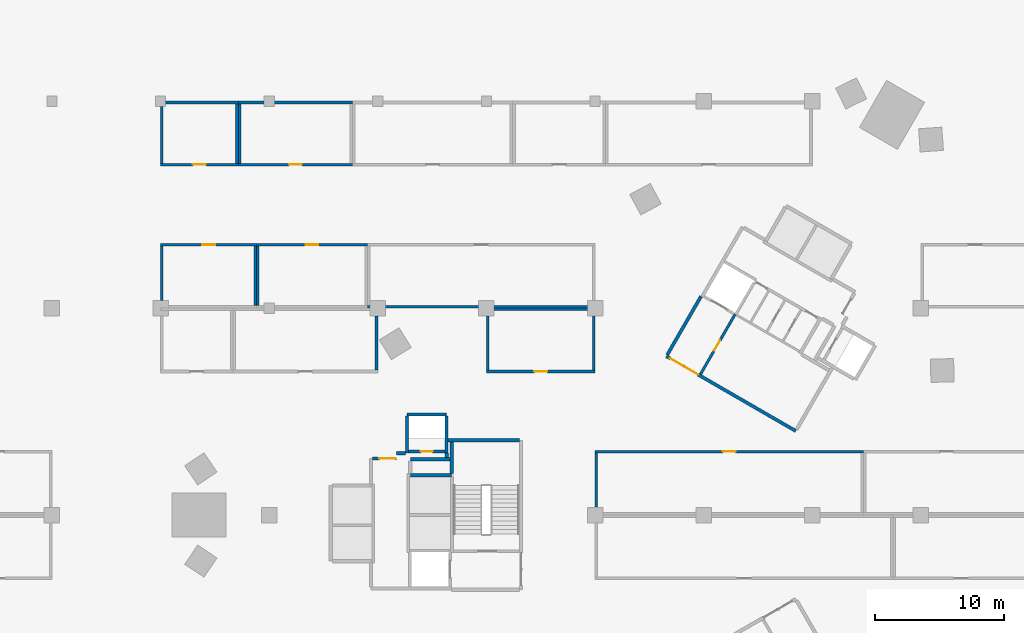
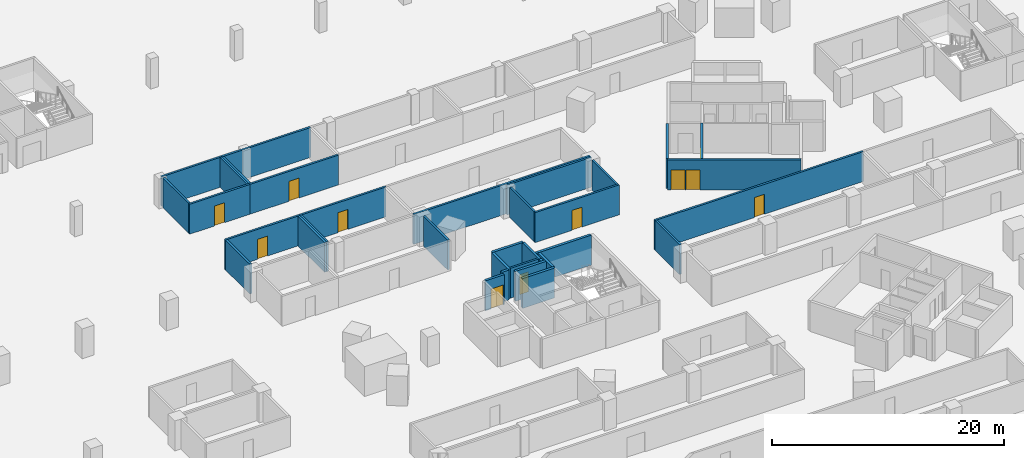
# One storey, part 10 of 37: 34 walls, 11 doors, 11 openings.
"""IFC4 building model written with IfcOpenShell, lengths in metres."""

from ifc_helpers import new_model, si_unit, direction, frame, frame_2d, origin, place, context, subcontext, project, spatial, rectangle, extrude, material, layer, layer_set, type_object, element, fill, save


model = new_model("IFC4")

# Units and contexts
model_context = context("Model", 3, precision=1e-05, world=origin(), true_north=direction((0.0, 1.0)))
body_context = subcontext(model_context, "Body", "Model", "MODEL_VIEW")
ifc_project = project(units=[si_unit("LENGTHUNIT", "METRE"), si_unit("AREAUNIT", "SQUARE_METRE"), si_unit("VOLUMEUNIT", "CUBIC_METRE"), si_unit("PLANEANGLEUNIT", "RADIAN"), si_unit("MASSUNIT", "GRAM", prefix="KILO")], contexts=[model_context])

# Site, building, storey
site_placement = place(None, origin())
site = spatial("IfcSite", under=ifc_project, at=site_placement, CompositionType="ELEMENT")
building_placement = place(site_placement, origin())
building = spatial("IfcBuilding", under=site, at=building_placement, Name="Tamra Quay Hotel Tower", CompositionType="ELEMENT")
storey_placement = place(building_placement, frame((0.0, 0.0, -3.60009765625)))
storey = spatial("IfcBuildingStorey", under=building, at=storey_placement, Name="B1", CompositionType="ELEMENT", Elevation=-3.60009765625)

# Wall, opening, door
ifc_material_1 = material(Name="Blockwork", Category="masonry")
ifc_layer_1 = layer(ifc_material_1, 0.199951171875)
ifc_layer_set_1 = layer_set([ifc_layer_1], Name="Car park room wall 200")
wall_type_1 = type_object("IfcWallType", Name="Car park room wall 200", PredefinedType="PARTITIONING", material=ifc_layer_set_1)
wall_1_placement = place(storey_placement, frame((-5.10009765625, 4.89990234375, 0.0), z_axis=(0.0, 0.0, 1.0), x_axis=(1.0, 0.0, 0.0)))
wall_1 = element("IfcWall", 1, at=wall_1_placement, inside=storey, type_object=wall_type_1, Name="PW", PredefinedType="PARTITIONING", context=body_context, shape_type="SweptSolid", body=[
    extrude(rectangle(XDim=20.7529296875, YDim=0.199951171875, at=frame_2d((10.37646484375, 0.0))), origin(), (0.0, 0.0, 1.0), 3.150146484375),
])
opening_1_placement = place(wall_1_placement, frame((9.87646484375, 0.0, 0.0)))
opening_1 = element("IfcOpeningElement", 2, at=opening_1_placement, cuts=wall_1, Name="Opening PD1", PredefinedType="OPENING", context=body_context, shape_type="SweptSolid", body=[
    extrude(rectangle(XDim=1.0, YDim=2.10009765625, at=frame_2d((0.5, 1.050048828125))), frame((0.0, 0.10986328125, 0.0), z_axis=(0.0, -1.0, 0.0), x_axis=(1.0, 0.0, 0.0)), (0.0, 0.0, 1.0), 0.219970703125),
])
ifc_material_2 = material(Name="Car park door 1000 x 2100")
door_type_1 = type_object("IfcDoorType", Name="Car park door 1000 x 2100", OperationType="NOTDEFINED", PredefinedType="DOOR", material=ifc_material_2)
door_1_placement = place(opening_1_placement, origin())
door_1 = element("IfcDoor", 3, at=door_1_placement, inside=storey, type_object=door_type_1, Name="PD1", OperationType="SINGLE_SWING_LEFT", OverallHeight=2.10009765625, OverallWidth=1.0, PredefinedType="DOOR", context=body_context, shape_type="SweptSolid", body=[
    extrude(rectangle(XDim=1.0, YDim=2.10009765625, at=frame_2d((0.5, 1.050048828125))), frame((0.0, 0.02490234375, 0.0), z_axis=(0.0, -1.0, 0.0), x_axis=(1.0, 0.0, 0.0)), (0.0, 0.0, 1.0), 0.050048828125),
])
fill(opening_1, door_1)

# Walls
for number, where, z_axis, x_axis, name in (
    (4, (-5.0, 0.60009765625, 0.0), (0.0, 0.0, 1.0), (0.0, 1.0, 0.0), "PW"),
    (5, (-22.0, 11.199951171875, 0.0), (0.0, 0.0, 1.0), (0.0, 1.0, 0.0), "PW"),
):
    element("IfcWall", number, at=place(storey_placement, frame(where, z_axis=z_axis, x_axis=x_axis)), inside=storey, type_object=wall_type_1, Name=name, PredefinedType="PARTITIONING", context=body_context, shape_type="SweptSolid", body=[
        extrude(rectangle(XDim=4.199951171875, YDim=0.199951171875, at=frame_2d((2.10009765625, 0.0))), origin(), (0.0, 0.0, 1.0), 3.150146484375),
    ])

# Wall, opening, door
wall_2_placement = place(storey_placement, frame((-13.5, 11.10009765625, 0.0), z_axis=(0.0, 0.0, 1.0), x_axis=(1.0, 0.0, 0.0)))
wall_2 = element("IfcWall", 6, at=wall_2_placement, inside=storey, type_object=wall_type_1, Name="PW", PredefinedType="PARTITIONING", context=body_context, shape_type="SweptSolid", body=[
    extrude(rectangle(XDim=8.39990234375, YDim=0.199951171875, at=frame_2d((4.199951171875, 0.0))), origin(), (0.0, 0.0, 1.0), 3.150146484375),
])
opening_2_placement = place(wall_2_placement, frame((3.699951171875, 0.0, 0.0)))
opening_2 = element("IfcOpeningElement", 7, at=opening_2_placement, cuts=wall_2, Name="Opening PD1", PredefinedType="OPENING", context=body_context, shape_type="SweptSolid", body=[
    extrude(rectangle(XDim=1.0, YDim=2.10009765625, at=frame_2d((0.5, 1.050048828125))), frame((0.0, 0.10986328125, 0.0), z_axis=(0.0, -1.0, 0.0), x_axis=(1.0, 0.0, 0.0)), (0.0, 0.0, 1.0), 0.219970703125),
])
door_2_placement = place(opening_2_placement, origin())
door_2 = element("IfcDoor", 8, at=door_2_placement, inside=storey, type_object=door_type_1, Name="PD1", OperationType="SINGLE_SWING_LEFT", OverallHeight=2.10009765625, OverallWidth=1.0, PredefinedType="DOOR", context=body_context, shape_type="SweptSolid", body=[
    extrude(rectangle(XDim=1.0, YDim=2.10009765625, at=frame_2d((0.5, 1.050048828125))), frame((0.0, 0.02490234375, 0.0), z_axis=(0.0, -1.0, 0.0), x_axis=(1.0, 0.0, 0.0)), (0.0, 0.0, 1.0), 0.050048828125),
])
fill(opening_2, door_2)

# Walls
wall_3_placement = place(storey_placement, frame((-13.5, 15.89990234375, 0.0), z_axis=(0.0, 0.0, 1.0), x_axis=(1.0, 0.0, 0.0)))
element("IfcWall", 9, at=wall_3_placement, inside=storey, type_object=wall_type_1, Name="PW", PredefinedType="PARTITIONING", context=body_context, shape_type="SweptSolid", body=[
    extrude(rectangle(XDim=8.39990234375, YDim=0.199951171875, at=frame_2d((4.199951171875, 0.0))), origin(), (0.0, 0.0, 1.0), 3.150146484375),
])
for number, where, z_axis, x_axis, name in (
    (10, (-13.39990234375, 11.199951171875, 0.0), (0.0, 0.0, 1.0), (0.0, 1.0, 0.0), "PW"),
    (11, (-5.199951171875, 11.199951171875, 0.0), (0.0, 0.0, 1.0), (0.0, 1.0, 0.0), "PW"),
):
    element("IfcWall", number, at=place(storey_placement, frame(where, z_axis=z_axis, x_axis=x_axis)), inside=storey, type_object=wall_type_1, Name=name, PredefinedType="PARTITIONING", context=body_context, shape_type="SweptSolid", body=[
        extrude(rectangle(XDim=4.199951171875, YDim=0.199951171875, at=frame_2d((2.10009765625, 0.0))), origin(), (0.0, 0.0, 1.0), 3.150146484375),
    ])

# Wall, opening, door
wall_4_placement = place(storey_placement, frame((-38.699951171875, 20.89990234375, 0.0), z_axis=(0.0, 0.0, 1.0), x_axis=(1.0, 0.0, 0.0)))
wall_4 = element("IfcWall", 12, at=wall_4_placement, inside=storey, type_object=wall_type_1, Name="PW", PredefinedType="PARTITIONING", context=body_context, shape_type="SweptSolid", body=[
    extrude(rectangle(XDim=7.42333984375, YDim=0.199951171875, at=frame_2d((3.711669921875, 0.0))), origin(), (0.0, 0.0, 1.0), 3.150146484375),
])
opening_3_placement = place(wall_4_placement, frame((3.211669921875, 0.0, 0.0)))
opening_3 = element("IfcOpeningElement", 13, at=opening_3_placement, cuts=wall_4, Name="Opening PD1", PredefinedType="OPENING", context=body_context, shape_type="SweptSolid", body=[
    extrude(rectangle(XDim=1.0, YDim=2.10009765625, at=frame_2d((0.5, 1.050048828125))), frame((0.0, 0.10986328125, 0.0), z_axis=(0.0, -1.0, 0.0), x_axis=(1.0, 0.0, 0.0)), (0.0, 0.0, 1.0), 0.219970703125),
])
door_3_placement = place(opening_3_placement, origin())
door_3 = element("IfcDoor", 14, at=door_3_placement, inside=storey, type_object=door_type_1, Name="PD1", OperationType="SINGLE_SWING_LEFT", OverallHeight=2.10009765625, OverallWidth=1.0, PredefinedType="DOOR", context=body_context, shape_type="SweptSolid", body=[
    extrude(rectangle(XDim=1.0, YDim=2.10009765625, at=frame_2d((0.5, 1.050048828125))), frame((0.0, 0.02490234375, 0.0), z_axis=(0.0, -1.0, 0.0), x_axis=(1.0, 0.0, 0.0)), (0.0, 0.0, 1.0), 0.050048828125),
])
fill(opening_3, door_3)

# Walls
wall_5_placement = place(storey_placement, frame((-38.60009765625, 16.60009765625, 0.0), z_axis=(0.0, 0.0, 1.0), x_axis=(0.0, 1.0, 0.0)))
element("IfcWall", 15, at=wall_5_placement, inside=storey, type_object=wall_type_1, Name="PW", PredefinedType="PARTITIONING", context=body_context, shape_type="SweptSolid", body=[
    extrude(rectangle(XDim=4.199951171875, YDim=0.199951171875, at=frame_2d((2.10009765625, 0.0))), origin(), (0.0, 0.0, 1.0), 3.150146484375),
])
wall_6_placement = place(storey_placement, frame((-31.376708984375, 16.199951171875, 0.0), z_axis=(0.0, 0.0, 1.0), x_axis=(0.0, 1.0, 0.0)))
element("IfcWall", 16, at=wall_6_placement, inside=storey, type_object=wall_type_1, Name="PW", PredefinedType="PARTITIONING", context=body_context, shape_type="SweptSolid", body=[
    extrude(rectangle(XDim=4.60009765625, YDim=0.199951171875, at=frame_2d((2.300048828125, 0.0))), origin(), (0.0, 0.0, 1.0), 3.150146484375),
])

# Wall, opening, door
wall_7_placement = place(storey_placement, frame((-31.276611328125, 20.89990234375, 0.0), z_axis=(0.0, 0.0, 1.0), x_axis=(1.0, 0.0, 0.0)))
wall_7 = element("IfcWall", 17, at=wall_7_placement, inside=storey, type_object=wall_type_1, Name="PW", PredefinedType="PARTITIONING", context=body_context, shape_type="SweptSolid", body=[
    extrude(rectangle(XDim=8.57666015625, YDim=0.199951171875, at=frame_2d((4.288330078125, 0.0))), origin(), (0.0, 0.0, 1.0), 3.150146484375),
])
opening_4_placement = place(wall_7_placement, frame((3.788330078125, 0.0, 0.0)))
opening_4 = element("IfcOpeningElement", 18, at=opening_4_placement, cuts=wall_7, Name="Opening PD1", PredefinedType="OPENING", context=body_context, shape_type="SweptSolid", body=[
    extrude(rectangle(XDim=1.0, YDim=2.10009765625, at=frame_2d((0.5, 1.050048828125))), frame((0.0, 0.10986328125, 0.0), z_axis=(0.0, -1.0, 0.0), x_axis=(1.0, 0.0, 0.0)), (0.0, 0.0, 1.0), 0.219970703125),
])
door_4_placement = place(opening_4_placement, origin())
door_4 = element("IfcDoor", 19, at=door_4_placement, inside=storey, type_object=door_type_1, Name="PD1", OperationType="SINGLE_SWING_LEFT", OverallHeight=2.10009765625, OverallWidth=1.0, PredefinedType="DOOR", context=body_context, shape_type="SweptSolid", body=[
    extrude(rectangle(XDim=1.0, YDim=2.10009765625, at=frame_2d((0.5, 1.050048828125))), frame((0.0, 0.02490234375, 0.0), z_axis=(0.0, -1.0, 0.0), x_axis=(1.0, 0.0, 0.0)), (0.0, 0.0, 1.0), 0.050048828125),
])
fill(opening_4, door_4)

# Walls
wall_8_placement = place(storey_placement, frame((-31.1767578125, 16.199951171875, 0.0), z_axis=(0.0, 0.0, 1.0), x_axis=(0.0, 1.0, 0.0)))
element("IfcWall", 20, at=wall_8_placement, inside=storey, type_object=wall_type_1, Name="PW", PredefinedType="PARTITIONING", context=body_context, shape_type="SweptSolid", body=[
    extrude(rectangle(XDim=4.60009765625, YDim=0.199951171875, at=frame_2d((2.300048828125, 0.0))), origin(), (0.0, 0.0, 1.0), 3.150146484375),
])
wall_9_placement = place(storey_placement, frame((-22.699951171875, 16.10009765625, 0.0), z_axis=(0.0, 0.0, 1.0), x_axis=(1.0, 0.0, 0.0)))
element("IfcWall", 21, at=wall_9_placement, inside=storey, type_object=wall_type_1, Name="PW", PredefinedType="PARTITIONING", context=body_context, shape_type="SweptSolid", body=[
    extrude(rectangle(XDim=17.599853515625, YDim=0.199951171875, at=frame_2d((8.7998046875, 0.0))), origin(), (0.0, 0.0, 1.0), 3.150146484375),
])

# Wall, opening, door
wall_10_placement = place(storey_placement, frame((-38.699951171875, 27.10009765625, 0.0), z_axis=(0.0, 0.0, 1.0), x_axis=(1.0, 0.0, 0.0)))
wall_10 = element("IfcWall", 22, at=wall_10_placement, inside=storey, type_object=wall_type_1, Name="PW", PredefinedType="PARTITIONING", context=body_context, shape_type="SweptSolid", body=[
    extrude(rectangle(XDim=6.012451171875, YDim=0.199951171875, at=frame_2d((3.00634765625, 0.0))), origin(), (0.0, 0.0, 1.0), 3.150146484375),
])
opening_5_placement = place(wall_10_placement, frame((2.50634765625, 0.0, 0.0)))
opening_5 = element("IfcOpeningElement", 23, at=opening_5_placement, cuts=wall_10, Name="Opening PD1", PredefinedType="OPENING", context=body_context, shape_type="SweptSolid", body=[
    extrude(rectangle(XDim=1.0, YDim=2.10009765625, at=frame_2d((0.5, 1.050048828125))), frame((0.0, 0.10986328125, 0.0), z_axis=(0.0, -1.0, 0.0), x_axis=(1.0, 0.0, 0.0)), (0.0, 0.0, 1.0), 0.219970703125),
])
door_5_placement = place(opening_5_placement, origin())
door_5 = element("IfcDoor", 24, at=door_5_placement, inside=storey, type_object=door_type_1, Name="PD1", OperationType="SINGLE_SWING_LEFT", OverallHeight=2.10009765625, OverallWidth=1.0, PredefinedType="DOOR", context=body_context, shape_type="SweptSolid", body=[
    extrude(rectangle(XDim=1.0, YDim=2.10009765625, at=frame_2d((0.5, 1.050048828125))), frame((0.0, 0.02490234375, 0.0), z_axis=(0.0, -1.0, 0.0), x_axis=(1.0, 0.0, 0.0)), (0.0, 0.0, 1.0), 0.050048828125),
])
fill(opening_5, door_5)

# Walls
wall_11_placement = place(storey_placement, frame((-38.699951171875, 31.89990234375, 0.0), z_axis=(0.0, 0.0, 1.0), x_axis=(1.0, 0.0, 0.0)))
element("IfcWall", 25, at=wall_11_placement, inside=storey, type_object=wall_type_1, Name="PW", PredefinedType="PARTITIONING", context=body_context, shape_type="SweptSolid", body=[
    extrude(rectangle(XDim=6.012451171875, YDim=0.199951171875, at=frame_2d((3.00634765625, 0.0))), origin(), (0.0, 0.0, 1.0), 3.150146484375),
])
wall_12_placement = place(storey_placement, frame((-38.60009765625, 27.199951171875, 0.0), z_axis=(0.0, 0.0, 1.0), x_axis=(0.0, 1.0, 0.0)))
element("IfcWall", 26, at=wall_12_placement, inside=storey, type_object=wall_type_1, Name="PW", PredefinedType="PARTITIONING", context=body_context, shape_type="SweptSolid", body=[
    extrude(rectangle(XDim=4.400146484375, YDim=0.199951171875, at=frame_2d((2.2001953125, 0.0))), origin(), (0.0, 0.0, 1.0), 3.150146484375),
])
wall_13_placement = place(storey_placement, frame((-32.787353515625, 27.199951171875, 0.0), z_axis=(0.0, 0.0, 1.0), x_axis=(0.0, 1.0, 0.0)))
element("IfcWall", 27, at=wall_13_placement, inside=storey, type_object=wall_type_1, Name="PW", PredefinedType="PARTITIONING", context=body_context, shape_type="SweptSolid", body=[
    extrude(rectangle(XDim=4.60009765625, YDim=0.199951171875, at=frame_2d((2.300048828125, 0.0))), origin(), (0.0, 0.0, 1.0), 3.150146484375),
])

# Wall, opening, door
wall_14_placement = place(storey_placement, frame((-32.6875, 27.10009765625, 0.0), z_axis=(0.0, 0.0, 1.0), x_axis=(1.0, 0.0, 0.0)))
wall_14 = element("IfcWall", 28, at=wall_14_placement, inside=storey, type_object=wall_type_1, Name="PW", PredefinedType="PARTITIONING", context=body_context, shape_type="SweptSolid", body=[
    extrude(rectangle(XDim=8.84228515625, YDim=0.199951171875, at=frame_2d((4.421142578125, 0.0))), origin(), (0.0, 0.0, 1.0), 3.150146484375),
])
opening_6_placement = place(wall_14_placement, frame((3.921142578125, 0.0, 0.0)))
opening_6 = element("IfcOpeningElement", 29, at=opening_6_placement, cuts=wall_14, Name="Opening PD1", PredefinedType="OPENING", context=body_context, shape_type="SweptSolid", body=[
    extrude(rectangle(XDim=1.0, YDim=2.10009765625, at=frame_2d((0.5, 1.050048828125))), frame((0.0, 0.10986328125, 0.0), z_axis=(0.0, -1.0, 0.0), x_axis=(1.0, 0.0, 0.0)), (0.0, 0.0, 1.0), 0.219970703125),
])
door_6_placement = place(opening_6_placement, origin())
door_6 = element("IfcDoor", 30, at=door_6_placement, inside=storey, type_object=door_type_1, Name="PD1", OperationType="SINGLE_SWING_LEFT", OverallHeight=2.10009765625, OverallWidth=1.0, PredefinedType="DOOR", context=body_context, shape_type="SweptSolid", body=[
    extrude(rectangle(XDim=1.0, YDim=2.10009765625, at=frame_2d((0.5, 1.050048828125))), frame((0.0, 0.02490234375, 0.0), z_axis=(0.0, -1.0, 0.0), x_axis=(1.0, 0.0, 0.0)), (0.0, 0.0, 1.0), 0.050048828125),
])
fill(opening_6, door_6)

# Walls
wall_15_placement = place(storey_placement, frame((-32.6875, 31.89990234375, 0.0), z_axis=(0.0, 0.0, 1.0), x_axis=(1.0, 0.0, 0.0)))
element("IfcWall", 31, at=wall_15_placement, inside=storey, type_object=wall_type_1, Name="PW", PredefinedType="PARTITIONING", context=body_context, shape_type="SweptSolid", body=[
    extrude(rectangle(XDim=8.84228515625, YDim=0.199951171875, at=frame_2d((4.421142578125, 0.0))), origin(), (0.0, 0.0, 1.0), 3.150146484375),
])
wall_16_placement = place(storey_placement, frame((-32.58740234375, 27.199951171875, 0.0), z_axis=(0.0, 0.0, 1.0), x_axis=(0.0, 1.0, 0.0)))
element("IfcWall", 32, at=wall_16_placement, inside=storey, type_object=wall_type_1, Name="PW", PredefinedType="PARTITIONING", context=body_context, shape_type="SweptSolid", body=[
    extrude(rectangle(XDim=4.60009765625, YDim=0.199951171875, at=frame_2d((2.300048828125, 0.0))), origin(), (0.0, 0.0, 1.0), 3.150146484375),
])

# Wall, opening, door
ifc_material_3 = material(Name="Concrete M70", Category="concrete")
ifc_layer_2 = layer(ifc_material_3, 0.199951171875)
ifc_layer_set_2 = layer_set([ifc_layer_2], Name="Concrete M70 core wall 200")
wall_type_2 = type_object("IfcWallType", Name="Concrete M70 core wall 200", PredefinedType="SHEAR", material=ifc_layer_set_2)
wall_17_placement = place(storey_placement, frame((-19.51123046875, 4.91015625, 0.0), z_axis=(0.0, 0.0, 1.0), x_axis=(1.0, 0.0, 0.0)))
wall_17 = element("IfcWall", 33, at=wall_17_placement, inside=storey, type_object=wall_type_2, Name="CW2", PredefinedType="SHEAR", context=body_context, shape_type="SweptSolid", body=[
    extrude(rectangle(XDim=2.7978515625, YDim=0.199951171875, at=frame_2d((1.39892578125, 0.0))), origin(), (0.0, 0.0, 1.0), 3.150146484375),
])
opening_7_placement = place(wall_17_placement, frame((0.948974609375, 0.0, 0.0)))
opening_7 = element("IfcOpeningElement", 34, at=opening_7_placement, cuts=wall_17, Name="Opening D1", PredefinedType="OPENING", context=body_context, shape_type="SweptSolid", body=[
    extrude(rectangle(XDim=0.89990234375, YDim=2.10009765625, at=frame_2d((0.449951171875, 1.050048828125))), frame((0.0, 0.10986328125, 0.0), z_axis=(0.0, -1.0, 0.0), x_axis=(1.0, 0.0, 0.0)), (0.0, 0.0, 1.0), 0.219970703125),
])
ifc_material_4 = material(Name="Core door D1 900x2100 LH")
door_type_2 = type_object("IfcDoorType", Name="Core door D1 900x2100 LH", OperationType="NOTDEFINED", PredefinedType="DOOR", material=ifc_material_4)
door_7_placement = place(opening_7_placement, origin())
door_7 = element("IfcDoor", 35, at=door_7_placement, inside=storey, type_object=door_type_2, Name="D1", OperationType="SINGLE_SWING_LEFT", OverallHeight=2.10009765625, OverallWidth=0.89990234375, PredefinedType="DOOR", context=body_context, shape_type="SweptSolid", body=[
    extrude(rectangle(XDim=0.89990234375, YDim=2.10009765625, at=frame_2d((0.449951171875, 1.050048828125))), frame((0.0, 0.02490234375, 0.0), z_axis=(0.0, -1.0, 0.0), x_axis=(1.0, 0.0, 0.0)), (0.0, 0.0, 1.0), 0.050048828125),
])
fill(opening_7, door_7)

wall_18_placement = place(storey_placement, frame((3.056640625, 10.89453125, 0.0), z_axis=(0.0, 0.0, 1.0), x_axis=(0.500012186204, 0.866018367962, 0.0)))
wall_18 = element("IfcWall", 36, at=wall_18_placement, inside=storey, type_object=wall_type_2, Name="CW2", PredefinedType="SHEAR", context=body_context, shape_type="SweptSolid", body=[
    extrude(rectangle(XDim=5.348876953125, YDim=0.199951171875, at=frame_2d((2.67431640625, 0.0))), origin(), (0.0, 0.0, 1.0), 3.150146484375),
])
opening_8_placement = place(wall_18_placement, frame((2.09912109375, 0.0, 0.0)))
opening_8 = element("IfcOpeningElement", 37, at=opening_8_placement, cuts=wall_18, Name="Opening D2", PredefinedType="OPENING", context=body_context, shape_type="SweptSolid", body=[
    extrude(rectangle(XDim=0.89990234375, YDim=2.10009765625, at=frame_2d((0.449951171875, 1.050048828125))), frame((0.0, 0.10986328125, 0.0), z_axis=(0.0, -1.0, 0.0), x_axis=(1.0, 0.0, 0.0)), (0.0, 0.0, 1.0), 0.219970703125),
])
ifc_material_5 = material(Name="Core door D2 900x2100 RH")
door_type_3 = type_object("IfcDoorType", Name="Core door D2 900x2100 RH", OperationType="NOTDEFINED", PredefinedType="DOOR", material=ifc_material_5)
door_8_placement = place(opening_8_placement, origin())
door_8 = element("IfcDoor", 38, at=door_8_placement, inside=storey, type_object=door_type_3, Name="D2", OperationType="SINGLE_SWING_RIGHT", OverallHeight=2.10009765625, OverallWidth=0.89990234375, PredefinedType="DOOR", context=body_context, shape_type="SweptSolid", body=[
    extrude(rectangle(XDim=0.89990234375, YDim=2.10009765625, at=frame_2d((0.449951171875, 1.050048828125))), frame((0.0, 0.02490234375, 0.0), z_axis=(0.0, -1.0, 0.0), x_axis=(1.0, 0.0, 0.0)), (0.0, 0.0, 1.0), 0.050048828125),
])
fill(opening_8, door_8)

# Walls
ifc_layer_3 = layer(ifc_material_3, 0.25)
ifc_layer_set_3 = layer_set([ifc_layer_3], Name="Concrete M70 core wall 250")
wall_type_3 = type_object("IfcWallType", Name="Concrete M70 core wall 250", PredefinedType="SHEAR", material=ifc_layer_set_3)
wall_19_placement = place(storey_placement, frame((-16.47216796875, 5.77490234375, 0.0), z_axis=(0.0, 0.0, 1.0), x_axis=(1.0, 0.0, 0.0)))
element("IfcWall", 39, at=wall_19_placement, inside=storey, type_object=wall_type_3, Name="CW1", PredefinedType="SHEAR", context=body_context, shape_type="SweptSolid", body=[
    extrude(rectangle(XDim=5.509521484375, YDim=0.25, at=frame_2d((2.7548828125, 0.0))), origin(), (0.0, 0.0, 1.0), 3.150146484375),
])
wall_20_placement = place(storey_placement, frame((-19.38720703125, 3.074951171875, 0.0), z_axis=(0.0, 0.0, 1.0), x_axis=(1.0, 0.0, 0.0)))
element("IfcWall", 40, at=wall_20_placement, inside=storey, type_object=wall_type_3, Name="CW1", PredefinedType="SHEAR", context=body_context, shape_type="SweptSolid", body=[
    extrude(rectangle(XDim=3.199951171875, YDim=0.25, at=frame_2d((1.60009765625, 0.0))), origin(), (0.0, 0.0, 1.0), 3.150146484375),
])
wall_21_placement = place(storey_placement, frame((-19.63720703125, 7.77490234375, 0.0), z_axis=(0.0, 0.0, 1.0), x_axis=(1.0, 0.0, 0.0)))
element("IfcWall", 41, at=wall_21_placement, inside=storey, type_object=wall_type_3, Name="CW1", PredefinedType="SHEAR", context=body_context, shape_type="SweptSolid", body=[
    extrude(rectangle(XDim=3.0498046875, YDim=0.25, at=frame_2d((1.52490234375, 0.0))), origin(), (0.0, 0.0, 1.0), 3.150146484375),
])
for number, where, z_axis, x_axis, name in (
    (42, (-16.58740234375, 7.649658203125, 0.0), (0.0, 0.0, 1.0), (0.0, -1.0, 0.0), "CW1"),
    (43, (-19.63720703125, 4.784912109375, 0.0), (0.0, 0.0, 1.0), (0.0, 1.0, 0.0), "CW1"),
):
    element("IfcWall", number, at=place(storey_placement, frame(where, z_axis=z_axis, x_axis=x_axis)), inside=storey, type_object=wall_type_3, Name=name, PredefinedType="SHEAR", context=body_context, shape_type="SweptSolid", body=[
        extrude(rectangle(XDim=2.86474609375, YDim=0.25, at=frame_2d((1.432373046875, 0.0))), origin(), (0.0, 0.0, 1.0), 3.150146484375),
    ])
wall_22_placement = place(storey_placement, frame((-16.30224609375, 4.31494140625, 0.0), z_axis=(0.0, 0.0, 1.0), x_axis=(-1.0, 0.0, 0.0)))
element("IfcWall", 44, at=wall_22_placement, inside=storey, type_object=wall_type_3, Name="CW1", PredefinedType="SHEAR", context=body_context, shape_type="SweptSolid", body=[
    extrude(rectangle(XDim=3.0849609375, YDim=0.25, at=frame_2d((1.54248046875, 0.0))), origin(), (0.0, 0.0, 1.0), 3.150146484375),
])
wall_23_placement = place(storey_placement, frame((-16.187255859375, 3.200439453125, 0.0), z_axis=(0.0, 0.0, 1.0), x_axis=(0.0, 1.0, 0.0)))
element("IfcWall", 45, at=wall_23_placement, inside=storey, type_object=wall_type_3, Name="CW1", PredefinedType="SHEAR", context=body_context, shape_type="SweptSolid", body=[
    extrude(rectangle(XDim=2.44921875, YDim=0.25, at=frame_2d((1.224609375, 0.0))), origin(), (0.0, 0.0, 1.0), 3.150146484375),
])

# Wall, opening, door
wall_24_placement = place(storey_placement, frame((-22.311767578125, 4.375, 0.0), z_axis=(0.0, 0.0, 1.0), x_axis=(1.0, 0.0, 0.0)))
wall_24 = element("IfcWall", 46, at=wall_24_placement, inside=storey, type_object=wall_type_3, Name="CW1", PredefinedType="SHEAR", context=body_context, shape_type="SweptSolid", body=[
    extrude(rectangle(XDim=1.864501953125, YDim=0.25, at=frame_2d((0.93212890625, 0.0))), origin(), (0.0, 0.0, 1.0), 3.150146484375),
])
opening_9_placement = place(wall_24_placement, frame((0.53466796875, 0.0, 0.0)))
opening_9 = element("IfcOpeningElement", 47, at=opening_9_placement, cuts=wall_24, Name="Opening FD3", PredefinedType="OPENING", context=body_context, shape_type="SweptSolid", body=[
    extrude(rectangle(XDim=1.25, YDim=2.10009765625, at=frame_2d((0.625, 1.050048828125))), frame((0.0, 0.135009765625, 0.0), z_axis=(0.0, -1.0, 0.0), x_axis=(1.0, 0.0, 0.0)), (0.0, 0.0, 1.0), 0.27001953125),
])
ifc_material_6 = material(Name="Core door FD3 1250x2100 LH")
door_type_4 = type_object("IfcDoorType", Name="Core door FD3 1250x2100 LH", OperationType="NOTDEFINED", PredefinedType="DOOR", material=ifc_material_6)
door_9_placement = place(opening_9_placement, origin())
door_9 = element("IfcDoor", 48, at=door_9_placement, inside=storey, type_object=door_type_4, Name="FD3", OperationType="SINGLE_SWING_LEFT", OverallHeight=2.10009765625, OverallWidth=1.25, PredefinedType="DOOR", context=body_context, shape_type="SweptSolid", body=[
    extrude(rectangle(XDim=1.25, YDim=2.10009765625, at=frame_2d((0.625, 1.050048828125))), frame((0.0, 0.02490234375, 0.0), z_axis=(0.0, -1.0, 0.0), x_axis=(1.0, 0.0, 0.0)), (0.0, 0.0, 1.0), 0.050048828125),
])
fill(opening_9, door_9)

# Walls
wall_25_placement = place(storey_placement, frame((-20.447265625, 4.784912109375, 0.0), z_axis=(0.0, 0.0, 1.0), x_axis=(1.0, 0.0, 0.0)))
element("IfcWall", 49, at=wall_25_placement, inside=storey, type_object=wall_type_3, Name="CW1", PredefinedType="SHEAR", context=body_context, shape_type="SweptSolid", body=[
    extrude(rectangle(XDim=0.6845703125, YDim=0.25, at=frame_2d((0.34228515625, 0.0))), origin(), (0.0, 0.0, 1.0), 3.150146484375),
])
wall_26_placement = place(storey_placement, frame((-16.577392578125, 4.784912109375, 0.0), z_axis=(0.0, 0.0, 1.0), x_axis=(0.0, -1.0, 0.0)))
element("IfcWall", 50, at=wall_26_placement, inside=storey, type_object=wall_type_3, Name="CW1", PredefinedType="SHEAR", context=body_context, shape_type="SweptSolid", body=[
    extrude(rectangle(XDim=0.344482421875, YDim=0.25, at=frame_2d((0.17236328125, 0.0))), origin(), (0.0, 0.0, 1.0), 3.150146484375),
])

# Wall, openings, doors
wall_27_placement = place(storey_placement, frame((10.419921875, 6.497802734375, 0.0), z_axis=(0.0, 0.0, 1.0), x_axis=(-0.866021906294, 0.500006057782, 0.0)))
wall_27 = element("IfcWall", 51, at=wall_27_placement, inside=storey, type_object=wall_type_3, Name="CW1", PredefinedType="SHEAR", context=body_context, shape_type="SweptSolid", body=[
    extrude(rectangle(XDim=11.550048828125, YDim=0.25, at=frame_2d((5.77490234375, 0.0))), origin(), (0.0, 0.0, 1.0), 3.150146484375),
])
opening_10_placement = place(wall_27_placement, frame((10.02490234375, 0.0, 0.0)))
opening_10 = element("IfcOpeningElement", 52, at=opening_10_placement, cuts=wall_27, Name="Opening FD1", PredefinedType="OPENING", context=body_context, shape_type="SweptSolid", body=[
    extrude(rectangle(XDim=1.199951171875, YDim=2.10009765625, at=frame_2d((0.60009765625, 1.050048828125))), frame((0.0, 0.135009765625, 0.0), z_axis=(0.0, -1.0, 0.0), x_axis=(1.0, 0.0, 0.0)), (0.0, 0.0, 1.0), 0.27001953125),
])
opening_11_placement = place(wall_27_placement, frame((8.724853515625, 0.0, 0.0)))
opening_11 = element("IfcOpeningElement", 53, at=opening_11_placement, cuts=wall_27, Name="Opening FD1", PredefinedType="OPENING", context=body_context, shape_type="SweptSolid", body=[
    extrude(rectangle(XDim=1.199951171875, YDim=2.10009765625, at=frame_2d((0.60009765625, 1.050048828125))), frame((0.0, 0.135009765625, 0.0), z_axis=(0.0, -1.0, 0.0), x_axis=(1.0, 0.0, 0.0)), (0.0, 0.0, 1.0), 0.27001953125),
])
ifc_material_7 = material(Name="Core door FD1 1200x2100 LH")
door_type_5 = type_object("IfcDoorType", Name="Core door FD1 1200x2100 LH", OperationType="NOTDEFINED", PredefinedType="DOOR", material=ifc_material_7)
door_10_placement = place(opening_10_placement, origin())
door_10 = element("IfcDoor", 54, at=door_10_placement, inside=storey, type_object=door_type_5, Name="FD1", OperationType="SINGLE_SWING_LEFT", OverallHeight=2.10009765625, OverallWidth=1.199951171875, PredefinedType="DOOR", context=body_context, shape_type="SweptSolid", body=[
    extrude(rectangle(XDim=1.199951171875, YDim=2.10009765625, at=frame_2d((0.60009765625, 1.050048828125))), frame((0.0, 0.02490234375, 0.0), z_axis=(0.0, -1.0, 0.0), x_axis=(1.0, 0.0, 0.0)), (0.0, 0.0, 1.0), 0.050048828125),
])
fill(opening_10, door_10)
ifc_material_8 = material(Name="Core door FD1 1200x2100 RH")
door_type_6 = type_object("IfcDoorType", Name="Core door FD1 1200x2100 RH", OperationType="NOTDEFINED", PredefinedType="DOOR", material=ifc_material_8)
door_11_placement = place(opening_11_placement, origin())
door_11 = element("IfcDoor", 55, at=door_11_placement, inside=storey, type_object=door_type_6, Name="FD1", OperationType="SINGLE_SWING_RIGHT", OverallHeight=2.10009765625, OverallWidth=1.199951171875, PredefinedType="DOOR", context=body_context, shape_type="SweptSolid", body=[
    extrude(rectangle(XDim=1.199951171875, YDim=2.10009765625, at=frame_2d((0.60009765625, 1.050048828125))), frame((0.0, 0.02490234375, 0.0), z_axis=(0.0, -1.0, 0.0), x_axis=(1.0, 0.0, 0.0)), (0.0, 0.0, 1.0), 0.050048828125),
])
fill(opening_11, door_11)

# Wall
wall_28_placement = place(storey_placement, frame((0.47998046875, 12.38134765625, 0.0), z_axis=(0.0, 0.0, 1.0), x_axis=(0.49999885962, 0.866026062182, 0.0)))
element("IfcWall", 56, at=wall_28_placement, inside=storey, type_object=wall_type_3, Name="CW1", PredefinedType="SHEAR", context=body_context, shape_type="SweptSolid", body=[
    extrude(rectangle(XDim=5.224609375, YDim=0.25, at=frame_2d((2.6123046875, 0.0))), origin(), (0.0, 0.0, 1.0), 3.150146484375),
])

save(model, "model.ifc")
